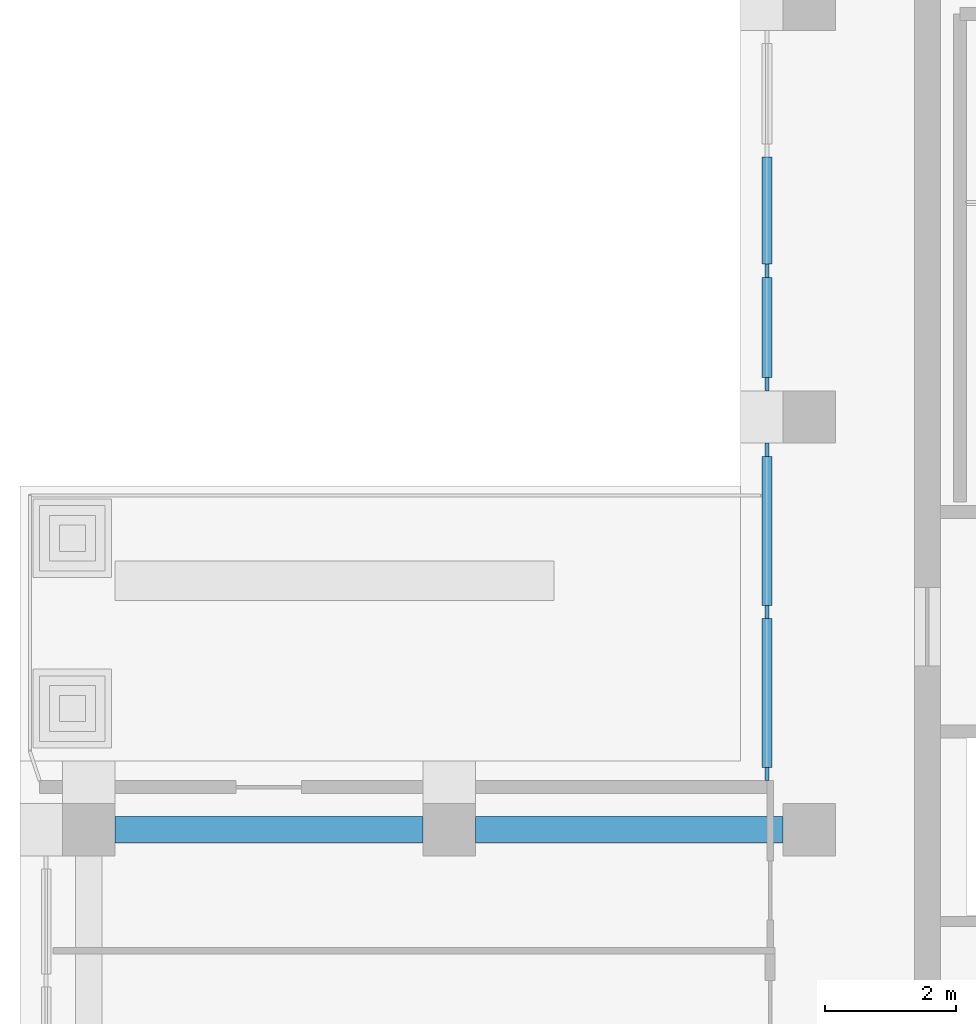
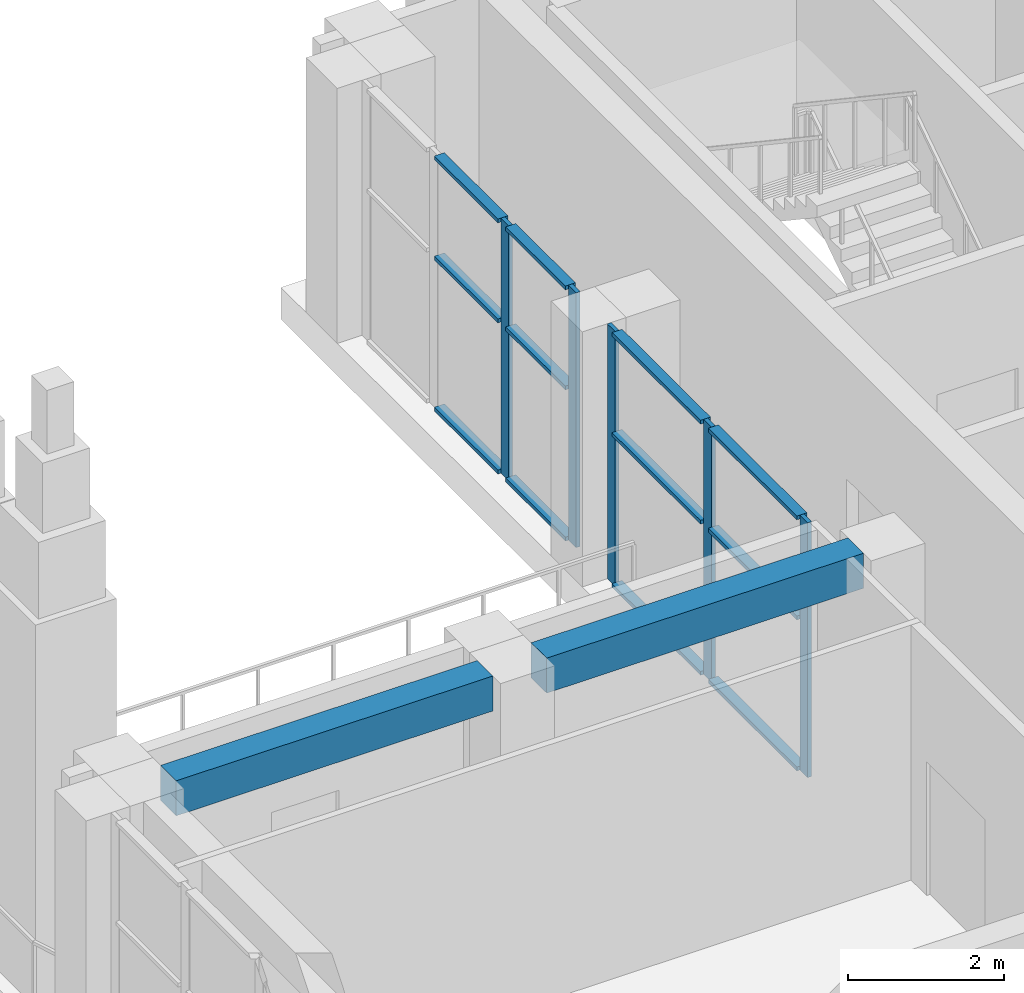
# One storey, part 4 of 14: 17 members, 2 beams, 2 elements without a shape of their own.
"""IFC4 building model written with IfcOpenShell, lengths in metres."""

from ifc_helpers import new_model, si_unit, direction, frame, origin, origin_2d, place, context, subcontext, project, spatial, rectangle, extrude, material, material_profile, profile_set, type_object, element, aggregate, save


model = new_model("IFC4")

# Units and contexts
model_context = context("Model", 3, precision=1e-05, world=origin(), true_north=direction((0.0, 1.0)))
body_context = subcontext(model_context, "Body", "Model", "MODEL_VIEW")
ifc_project = project(units=[si_unit("LENGTHUNIT", "METRE"), si_unit("AREAUNIT", "SQUARE_METRE"), si_unit("VOLUMEUNIT", "CUBIC_METRE"), si_unit("PLANEANGLEUNIT", "RADIAN"), si_unit("MASSUNIT", "GRAM", prefix="KILO")], contexts=[model_context])

# Site, building, storey
site_placement = place(None, origin())
site = spatial("IfcSite", under=ifc_project, at=site_placement, CompositionType="ELEMENT")
building_placement = place(site_placement, origin())
building = spatial("IfcBuilding", under=site, at=building_placement, Name="Vermilion Ogive Tower", CompositionType="ELEMENT")
storey_placement = place(building_placement, frame((0.0, 0.0, 284.85009765625)))
storey = spatial("IfcBuildingStorey", under=building, at=storey_placement, Name="L74", CompositionType="ELEMENT", Elevation=284.85009765625)

# Curtain wall, members
ifc_material_1 = material(Name="Low-iron laminated glazing in aluminium frame", Category="aluminium")
curtain_wall_type = type_object("IfcCurtainWallType", Name="Curtain wall CW3", PredefinedType="NOTDEFINED", material=ifc_material_1)
curtain_wall_1_placement = place(storey_placement, origin())
curtain_wall_1 = element("IfcCurtainWall", 1, at=curtain_wall_1_placement, inside=storey, type_object=curtain_wall_type, Name="CW3 glazing X51", PredefinedType="NOTDEFINED")
ifc_material_2 = material(Name="Aluminium mullion", Category="aluminium")
ifc_material_profile_1 = material_profile(ifc_material_2, rectangle(XDim=0.06005859375, YDim=0.199951171875, at=origin_2d()), Name="AL 60x200")
ifc_profile_set_1 = profile_set([ifc_material_profile_1], Name="Aluminium mullion")
member_type_1 = type_object("IfcMemberType", Name="CW3 mullion 60x200", PredefinedType="MULLION", material=ifc_profile_set_1)
member_1_placement = place(storey_placement, frame((-10.64990234375, 16.933349609375, 0.0), z_axis=(0.0, 0.0, 1.0), x_axis=(1.0, 0.0, 0.0)))
member_1 = element("IfcMember", 2, at=member_1_placement, type_object=member_type_1, Name="CW3-X51 mullion 3", PredefinedType="MULLION", context=body_context, shape_type="SweptSolid", body=[
    extrude(rectangle(XDim=0.06005859375, YDim=0.199951171875, at=origin_2d()), origin(), (0.0, 0.0, 1.0), 4.0),
])
member_2_placement = place(storey_placement, frame((-10.64990234375, 15.199951171875, 0.0), z_axis=(0.0, 0.0, 1.0), x_axis=(1.0, 0.0, 0.0)))
member_2 = element("IfcMember", 3, at=member_2_placement, type_object=member_type_1, Name="CW3-X51 mullion 4", PredefinedType="MULLION", context=body_context, shape_type="SweptSolid", body=[
    extrude(rectangle(XDim=0.06005859375, YDim=0.199951171875, at=origin_2d()), origin(), (0.0, 0.0, 1.0), 4.0),
])

curtain_wall_2_placement = place(storey_placement, origin())
curtain_wall_2 = element("IfcCurtainWall", 4, at=curtain_wall_2_placement, inside=storey, type_object=curtain_wall_type, Name="CW3 glazing X52", PredefinedType="NOTDEFINED")
member_3_placement = place(storey_placement, frame((-10.64990234375, 14.199951171875, 0.0), z_axis=(0.0, 0.0, 1.0), x_axis=(1.0, 0.0, 0.0)))
member_3 = element("IfcMember", 5, at=member_3_placement, type_object=member_type_1, Name="CW3-X52 mullion 1", PredefinedType="MULLION", context=body_context, shape_type="SweptSolid", body=[
    extrude(rectangle(XDim=0.06005859375, YDim=0.199951171875, at=origin_2d()), origin(), (0.0, 0.0, 1.0), 4.0),
])
member_4_placement = place(storey_placement, frame((-10.64990234375, 11.72509765625, 0.0), z_axis=(0.0, 0.0, 1.0), x_axis=(1.0, 0.0, 0.0)))
member_4 = element("IfcMember", 6, at=member_4_placement, type_object=member_type_1, Name="CW3-X52 mullion 2", PredefinedType="MULLION", context=body_context, shape_type="SweptSolid", body=[
    extrude(rectangle(XDim=0.06005859375, YDim=0.199951171875, at=origin_2d()), origin(), (0.0, 0.0, 1.0), 4.0),
])
member_5_placement = place(storey_placement, frame((-10.64990234375, 9.25, 0.0), z_axis=(0.0, 0.0, 1.0), x_axis=(1.0, 0.0, 0.0)))
member_5 = element("IfcMember", 7, at=member_5_placement, type_object=member_type_1, Name="CW3-X52 mullion 3", PredefinedType="MULLION", context=body_context, shape_type="SweptSolid", body=[
    extrude(rectangle(XDim=0.06005859375, YDim=0.199951171875, at=origin_2d()), origin(), (0.0, 0.0, 1.0), 4.0),
])

# Member
ifc_material_3 = material(Name="Aluminium transom", Category="aluminium")
ifc_material_profile_2 = material_profile(ifc_material_3, rectangle(XDim=0.14990234375, YDim=0.06005859375, at=origin_2d()), Name="AL 60x150")
ifc_profile_set_2 = profile_set([ifc_material_profile_2], Name="Aluminium transom")
member_type_2 = type_object("IfcMemberType", Name="CW3 transom 60x150", PredefinedType="USERDEFINED", material=ifc_profile_set_2)
member_6_placement = place(storey_placement, frame((-10.64990234375, 18.666748046875, 0.02978515625), z_axis=(0.0, -1.0, 0.0), x_axis=(1.0, 0.0, 0.0)))
member_6 = element("IfcMember", 8, at=member_6_placement, type_object=member_type_2, Name="CW3-X51 transom 2.1", ObjectType="TRANSOM", PredefinedType="USERDEFINED", context=body_context, shape_type="SweptSolid", body=[
    extrude(rectangle(XDim=0.14990234375, YDim=0.06005859375, at=origin_2d()), origin(), (0.0, 0.0, 1.0), 1.63330078125),
])

member_7_placement = place(storey_placement, frame((-10.64990234375, 18.666748046875, 2.39990234375), z_axis=(0.0, -1.0, 0.0), x_axis=(1.0, 0.0, 0.0)))
member_7 = element("IfcMember", 9, at=member_7_placement, type_object=member_type_2, Name="CW3-X51 transom 2.2", ObjectType="TRANSOM", PredefinedType="USERDEFINED", context=body_context, shape_type="SweptSolid", body=[
    extrude(rectangle(XDim=0.14990234375, YDim=0.06005859375, at=origin_2d()), origin(), (0.0, 0.0, 1.0), 1.63330078125),
])

member_8_placement = place(storey_placement, frame((-10.64990234375, 18.666748046875, 3.969970703125), z_axis=(0.0, -1.0, 0.0), x_axis=(1.0, 0.0, 0.0)))
member_8 = element("IfcMember", 10, at=member_8_placement, type_object=member_type_2, Name="CW3-X51 transom 2.3", ObjectType="TRANSOM", PredefinedType="USERDEFINED", context=body_context, shape_type="SweptSolid", body=[
    extrude(rectangle(XDim=0.14990234375, YDim=0.06005859375, at=origin_2d()), origin(), (0.0, 0.0, 1.0), 1.63330078125),
])

member_9_placement = place(storey_placement, frame((-10.64990234375, 16.833251953125, 0.02978515625), z_axis=(0.0, -1.0, 0.0), x_axis=(1.0, 0.0, 0.0)))
member_9 = element("IfcMember", 11, at=member_9_placement, type_object=member_type_2, Name="CW3-X51 transom 3.1", ObjectType="TRANSOM", PredefinedType="USERDEFINED", context=body_context, shape_type="SweptSolid", body=[
    extrude(rectangle(XDim=0.14990234375, YDim=0.06005859375, at=origin_2d()), origin(), (0.0, 0.0, 1.0), 1.533203125),
])

member_10_placement = place(storey_placement, frame((-10.64990234375, 16.833251953125, 2.39990234375), z_axis=(0.0, -1.0, 0.0), x_axis=(1.0, 0.0, 0.0)))
member_10 = element("IfcMember", 12, at=member_10_placement, type_object=member_type_2, Name="CW3-X51 transom 3.2", ObjectType="TRANSOM", PredefinedType="USERDEFINED", context=body_context, shape_type="SweptSolid", body=[
    extrude(rectangle(XDim=0.14990234375, YDim=0.06005859375, at=origin_2d()), origin(), (0.0, 0.0, 1.0), 1.533203125),
])

member_11_placement = place(storey_placement, frame((-10.64990234375, 16.833251953125, 3.969970703125), z_axis=(0.0, -1.0, 0.0), x_axis=(1.0, 0.0, 0.0)))
member_11 = element("IfcMember", 13, at=member_11_placement, type_object=member_type_2, Name="CW3-X51 transom 3.3", ObjectType="TRANSOM", PredefinedType="USERDEFINED", context=body_context, shape_type="SweptSolid", body=[
    extrude(rectangle(XDim=0.14990234375, YDim=0.06005859375, at=origin_2d()), origin(), (0.0, 0.0, 1.0), 1.533203125),
])

aggregate(curtain_wall_1, [member_1, member_2, member_6, member_7, member_8, member_9, member_10, member_11])

member_12_placement = place(storey_placement, frame((-10.64990234375, 14.10009765625, 0.02978515625), z_axis=(0.0, -1.0, 0.0), x_axis=(1.0, 0.0, 0.0)))
member_12 = element("IfcMember", 14, at=member_12_placement, type_object=member_type_2, Name="CW3-X52 transom 1.1", ObjectType="TRANSOM", PredefinedType="USERDEFINED", context=body_context, shape_type="SweptSolid", body=[
    extrude(rectangle(XDim=0.14990234375, YDim=0.06005859375, at=origin_2d()), origin(), (0.0, 0.0, 1.0), 2.275146484375),
])

member_13_placement = place(storey_placement, frame((-10.64990234375, 14.10009765625, 2.39990234375), z_axis=(0.0, -1.0, 0.0), x_axis=(1.0, 0.0, 0.0)))
member_13 = element("IfcMember", 15, at=member_13_placement, type_object=member_type_2, Name="CW3-X52 transom 1.2", ObjectType="TRANSOM", PredefinedType="USERDEFINED", context=body_context, shape_type="SweptSolid", body=[
    extrude(rectangle(XDim=0.14990234375, YDim=0.06005859375, at=origin_2d()), origin(), (0.0, 0.0, 1.0), 2.275146484375),
])

member_14_placement = place(storey_placement, frame((-10.64990234375, 14.10009765625, 3.969970703125), z_axis=(0.0, -1.0, 0.0), x_axis=(1.0, 0.0, 0.0)))
member_14 = element("IfcMember", 16, at=member_14_placement, type_object=member_type_2, Name="CW3-X52 transom 1.3", ObjectType="TRANSOM", PredefinedType="USERDEFINED", context=body_context, shape_type="SweptSolid", body=[
    extrude(rectangle(XDim=0.14990234375, YDim=0.06005859375, at=origin_2d()), origin(), (0.0, 0.0, 1.0), 2.275146484375),
])

member_15_placement = place(storey_placement, frame((-10.64990234375, 11.625, 0.02978515625), z_axis=(0.0, -1.0, 0.0), x_axis=(1.0, 0.0, 0.0)))
member_15 = element("IfcMember", 17, at=member_15_placement, type_object=member_type_2, Name="CW3-X52 transom 2.1", ObjectType="TRANSOM", PredefinedType="USERDEFINED", context=body_context, shape_type="SweptSolid", body=[
    extrude(rectangle(XDim=0.14990234375, YDim=0.06005859375, at=origin_2d()), origin(), (0.0, 0.0, 1.0), 2.27490234375),
])

member_16_placement = place(storey_placement, frame((-10.64990234375, 11.625, 2.39990234375), z_axis=(0.0, -1.0, 0.0), x_axis=(1.0, 0.0, 0.0)))
member_16 = element("IfcMember", 18, at=member_16_placement, type_object=member_type_2, Name="CW3-X52 transom 2.2", ObjectType="TRANSOM", PredefinedType="USERDEFINED", context=body_context, shape_type="SweptSolid", body=[
    extrude(rectangle(XDim=0.14990234375, YDim=0.06005859375, at=origin_2d()), origin(), (0.0, 0.0, 1.0), 2.27490234375),
])

member_17_placement = place(storey_placement, frame((-10.64990234375, 11.625, 3.969970703125), z_axis=(0.0, -1.0, 0.0), x_axis=(1.0, 0.0, 0.0)))
member_17 = element("IfcMember", 19, at=member_17_placement, type_object=member_type_2, Name="CW3-X52 transom 2.3", ObjectType="TRANSOM", PredefinedType="USERDEFINED", context=body_context, shape_type="SweptSolid", body=[
    extrude(rectangle(XDim=0.14990234375, YDim=0.06005859375, at=origin_2d()), origin(), (0.0, 0.0, 1.0), 2.27490234375),
])

aggregate(curtain_wall_2, [member_3, member_4, member_5, member_12, member_13, member_14, member_15, member_16, member_17])

# Beams
ifc_material_4 = material(Name="Concrete B45", Category="concrete")
ifc_material_profile_3 = material_profile(ifc_material_4, rectangle(XDim=0.39990234375, YDim=0.550048828125, at=origin_2d()), Name="400 x 550")
ifc_profile_set_3 = profile_set([ifc_material_profile_3], Name="Concrete B45")
beam_type = type_object("IfcBeamType", Name="Edge beam 400 x 550 B45", PredefinedType="BEAM", material=ifc_profile_set_3)
for number, where, z_axis, x_axis, name in (
    (20, (-10.39990234375, 8.39990234375, 3.724853515625), (-1.0, 0.0, 0.0), (0.0, -1.0, 0.0), "L74-EB-11"),
    (21, (-15.89990234375, 8.39990234375, 3.724853515625), (-1.0, 0.0, 0.0), (0.0, -1.0, 0.0), "L74-EB-12"),
):
    element("IfcBeam", number, at=place(storey_placement, frame(where, z_axis=z_axis, x_axis=x_axis)), inside=storey, type_object=beam_type, Name=name, PredefinedType="BEAM", context=body_context, shape_type="SweptSolid", body=[
        extrude(rectangle(XDim=0.39990234375, YDim=0.550048828125, at=origin_2d()), origin(), (0.0, 0.0, 1.0), 4.7001953125),
    ])

save(model, "model.ifc")
